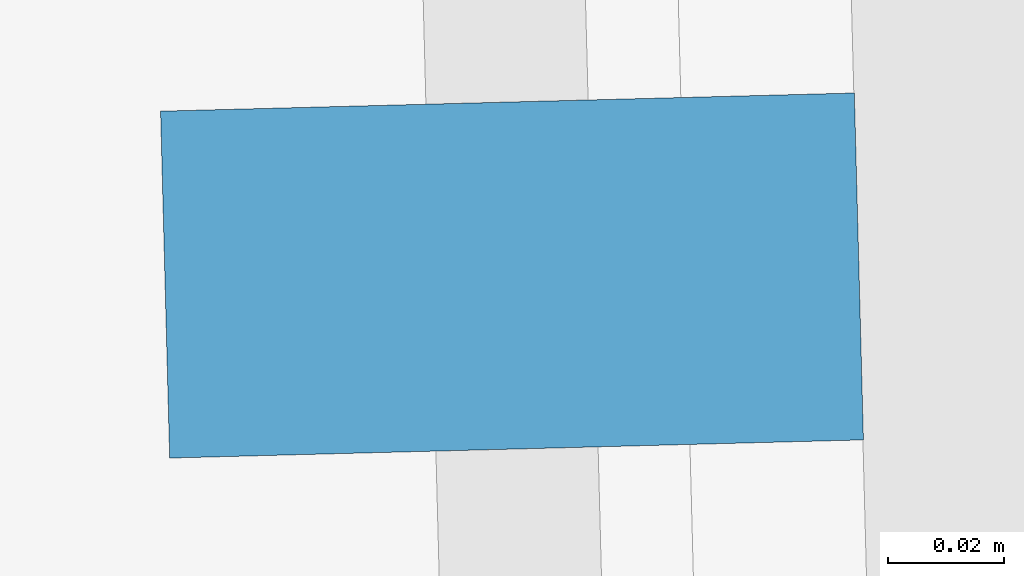
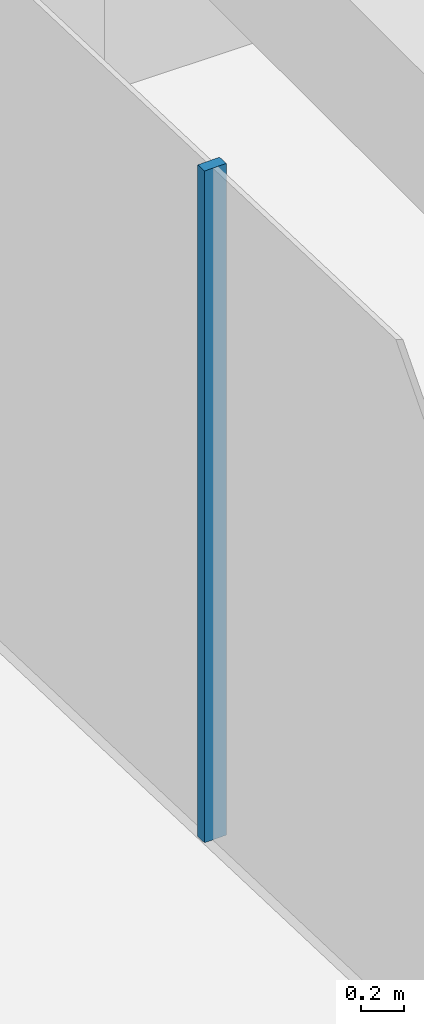
# One storey, part 9 of 20: 1 member, 1 element without a shape of its own.
"""IFC4 building model written with IfcOpenShell, lengths in metres."""

from ifc_helpers import new_model, si_unit, direction, frame, origin, origin_2d, place, context, subcontext, project, spatial, rectangle, extrude, material, layer, layer_set, material_profile, profile_set, type_object, element, aggregate, save


model = new_model("IFC4")

# Units and contexts
model_context = context("Model", 3, precision=1e-05, world=origin(), true_north=direction((0.0, 1.0)))
body_context = subcontext(model_context, "Body", "Model", "MODEL_VIEW")
ifc_project = project(units=[si_unit("LENGTHUNIT", "METRE"), si_unit("AREAUNIT", "SQUARE_METRE"), si_unit("VOLUMEUNIT", "CUBIC_METRE"), si_unit("PLANEANGLEUNIT", "RADIAN"), si_unit("MASSUNIT", "GRAM", prefix="KILO")], contexts=[model_context])

# Site, building, storey
site_placement = place(None, origin())
site = spatial("IfcSite", under=ifc_project, at=site_placement, CompositionType="ELEMENT")
building_placement = place(site_placement, origin())
building = spatial("IfcBuilding", under=site, at=building_placement, Name="Welwitschia Terrace Campus", CompositionType="ELEMENT")
storey_placement = place(building_placement, frame((0.0, 0.0, 293.60009765625)))
storey = spatial("IfcBuildingStorey", under=building, at=storey_placement, Name="L65", CompositionType="ELEMENT", Elevation=293.60009765625)

# Curtain wall, member
ifc_material_1 = material(Name="Bronze anodised aluminium", Category="aluminium")
ifc_layer = layer(ifc_material_1, 0.1201171875)
ifc_layer_set = layer_set([ifc_layer], Name="Bronze anodised aluminium")
curtain_wall_type = type_object("IfcCurtainWallType", Name="Curtain wall CW2 tower 6000", PredefinedType="NOTDEFINED", material=ifc_layer_set)
curtain_wall_placement = place(storey_placement, origin())
curtain_wall = element("IfcCurtainWall", 1, at=curtain_wall_placement, inside=storey, type_object=curtain_wall_type, Name="CW L65.0.0", PredefinedType="NOTDEFINED")
ifc_material_2 = material(Name="Bronze anodised aluminium", Category="aluminium")
ifc_material_profile = material_profile(ifc_material_2, rectangle(XDim=0.1201171875, YDim=0.06005859375, at=origin_2d()))
ifc_profile_set = profile_set([ifc_material_profile], Name="Bronze anodised aluminium")
member_type = type_object("IfcMemberType", Name="Mullion 60x120", PredefinedType="MULLION", material=ifc_profile_set)
member_placement = place(storey_placement, frame((-1.480712890625, 45.403564453125, 0.0), z_axis=(0.0, 0.0, 1.0), x_axis=(0.999657324976, 0.026176948308, 0.0)))
member = element("IfcMember", 2, at=member_placement, type_object=member_type, Name="Mullion L65.0.0.3", PredefinedType="MULLION", context=body_context, shape_type="SweptSolid", body=[
    extrude(rectangle(XDim=0.1201171875, YDim=0.06005859375, at=origin_2d()), origin(), (0.0, 0.0, 1.0), 3.849853515625),
])
aggregate(curtain_wall, [member])

save(model, "model.ifc")
